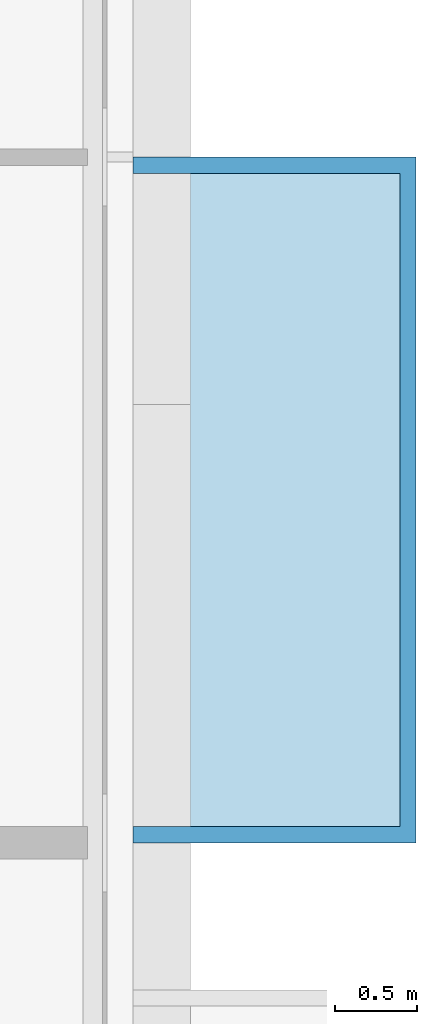
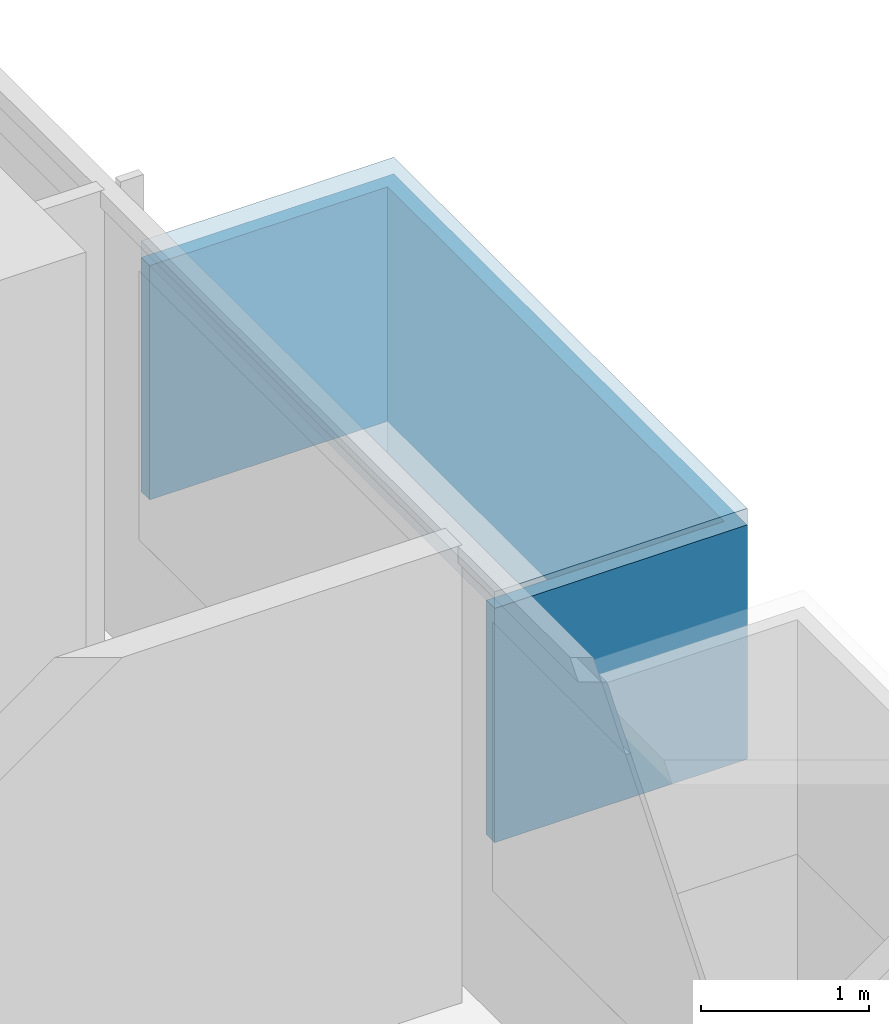
# One storey, part 17 of 31: 2 plates.
"""IFC4 building model written with IfcOpenShell, lengths in metres."""

from ifc_helpers import new_model, si_unit, direction, frame, origin, place, context, subcontext, project, spatial, polyline, outline, extrude, material, layer, layer_set, type_object, element, save


model = new_model("IFC4")

# Units and contexts
model_context = context("Model", 3, precision=1e-05, world=origin(), true_north=direction((0.0, 1.0)))
body_context = subcontext(model_context, "Body", "Model", "MODEL_VIEW")
ifc_project = project(units=[si_unit("LENGTHUNIT", "METRE"), si_unit("AREAUNIT", "SQUARE_METRE"), si_unit("VOLUMEUNIT", "CUBIC_METRE"), si_unit("PLANEANGLEUNIT", "RADIAN"), si_unit("MASSUNIT", "GRAM", prefix="KILO")], contexts=[model_context])

# Site, building, storey
site_placement = place(None, origin())
site = spatial("IfcSite", under=ifc_project, at=site_placement, CompositionType="ELEMENT")
building_placement = place(site_placement, origin())
building = spatial("IfcBuilding", under=site, at=building_placement, Name="Saffron Gate Tower", CompositionType="ELEMENT")
storey_placement = place(building_placement, frame((0.0, 0.0, 147.449951171875)))
storey = spatial("IfcBuildingStorey", under=building, at=storey_placement, Name="L35", CompositionType="ELEMENT", Elevation=147.449951171875)

# Plates
ifc_material_1 = material(Name="Aluminium, bronze anodised", Category="aluminium")
ifc_layer_1 = layer(ifc_material_1, 0.1201171875)
ifc_layer_set_1 = layer_set([ifc_layer_1], Name="WB2 box roof")
plate_type_1 = type_object("IfcPlateType", Name="WB2 box roof", PredefinedType="SHEET", material=ifc_layer_set_1)
plate_1_placement = place(storey_placement, frame((0.0, 0.0, 2.699951171875)))
element("IfcPlate", 1, at=plate_1_placement, inside=storey, type_object=plate_type_1, Name="WINDOW BOX roof", PredefinedType="SHEET", context=body_context, shape_type="SweptSolid", body=[
    extrude(outline(polyline([(127.199951171875, 61.199951171875), (127.199951171875, 65.39990234375), (128.93310546875, 65.39990234375), (128.93310546875, 61.199951171875), (127.199951171875, 61.199951171875)])), origin(), (0.0, 0.0, 1.0), 0.1201171875),
])
ifc_material_2 = material(Name="Clear low-iron laminated glass", Category="glass")
ifc_layer_2 = layer(ifc_material_2, 0.10009765625)
ifc_layer_set_2 = layer_set([ifc_layer_2], Name="WB6 box glazing")
plate_type_2 = type_object("IfcPlateType", Name="WB6 box glazing", PredefinedType="SHEET", material=ifc_layer_set_2)
plate_2_placement = place(storey_placement, frame((0.0, 0.0, 1.0)))
element("IfcPlate", 2, at=plate_2_placement, inside=storey, type_object=plate_type_2, Name="WINDOW BOX glazing", PredefinedType="SHEET", context=body_context, shape_type="SweptSolid", body=[
    extrude(outline(polyline([(127.199951171875, 61.199951171875), (127.199951171875, 61.300048828125), (128.8330078125, 61.300048828125), (128.8330078125, 65.300048828125), (127.199951171875, 65.300048828125), (127.199951171875, 65.39990234375), (128.93310546875, 65.39990234375), (128.93310546875, 61.199951171875), (127.199951171875, 61.199951171875)])), origin(), (0.0, 0.0, 1.0), 1.699951171875),
])

save(model, "model.ifc")
